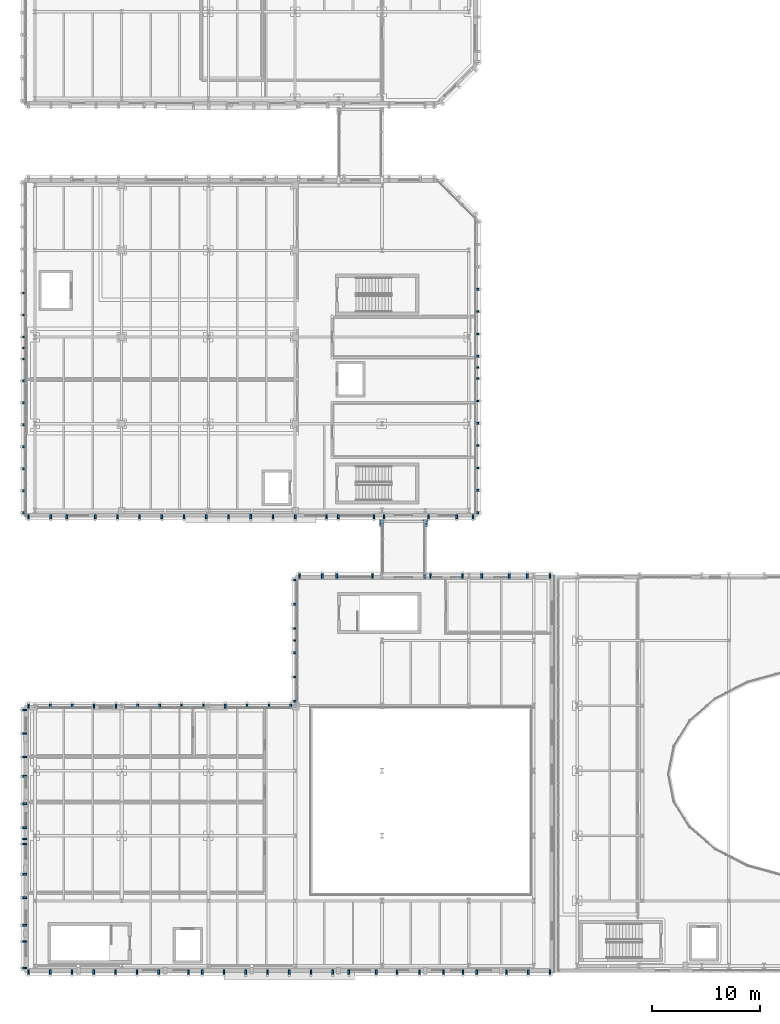
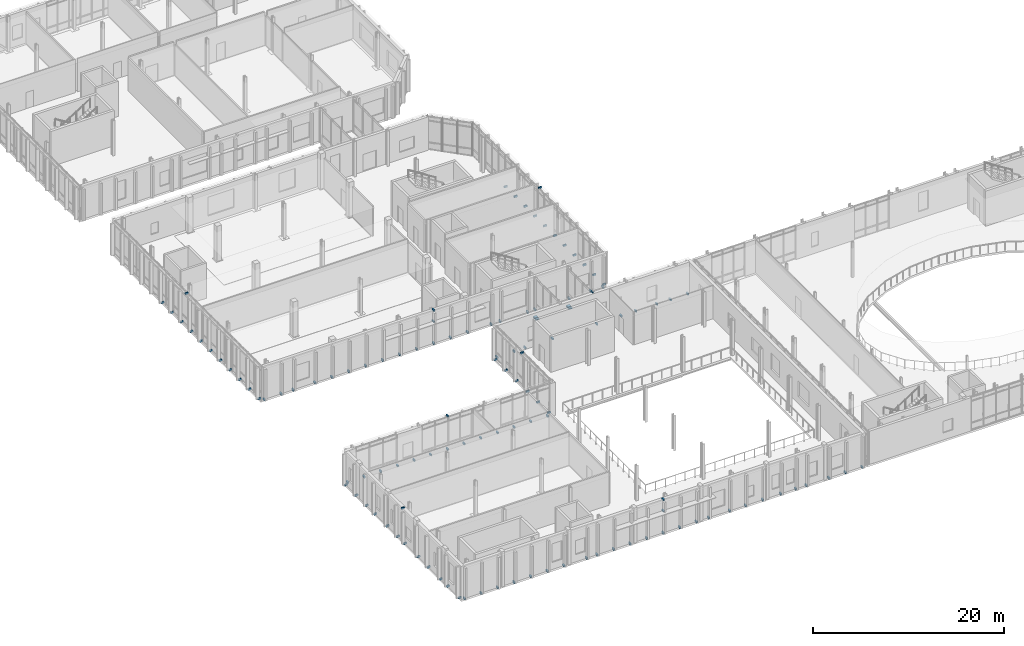
# One storey, part 78 of 100: 122 discrete accessories.
"""IFC4 building model written with IfcOpenShell, lengths in metres."""

from ifc_helpers import new_model, si_unit, direction, frame, origin, origin_2d, place, context, subcontext, project, spatial, rectangle, extrude, material, type_object, element, save


model = new_model("IFC4")

# Units and contexts
model_context = context("Model", 3, precision=1e-05, world=origin(), true_north=direction((0.0, 1.0)))
body_context = subcontext(model_context, "Body", "Model", "MODEL_VIEW")
ifc_project = project(units=[si_unit("LENGTHUNIT", "METRE"), si_unit("AREAUNIT", "SQUARE_METRE"), si_unit("VOLUMEUNIT", "CUBIC_METRE"), si_unit("PLANEANGLEUNIT", "RADIAN"), si_unit("MASSUNIT", "GRAM", prefix="KILO")], contexts=[model_context])

# Site, building, storey
site_placement = place(None, origin())
site = spatial("IfcSite", under=ifc_project, at=site_placement, CompositionType="ELEMENT")
building_placement = place(site_placement, origin())
building = spatial("IfcBuilding", under=site, at=building_placement, Name="Cymarion Research Institute", CompositionType="ELEMENT")
storey_placement = place(building_placement, frame((0.0, 0.0, 9.300048828125)))
storey = spatial("IfcBuildingStorey", under=building, at=storey_placement, Name="L02", CompositionType="ELEMENT", Elevation=9.300048828125)

# Discrete accessories
ifc_material = material(Name="Steel S355", Category="steel")
discrete_accessory_type_1 = type_object("IfcDiscreteAccessoryType", Name="PTFE ELASTOMERIC SLIDING BEARING SB01", PredefinedType="SHOE", material=ifc_material)
for number, where, z_axis, x_axis, name in (
    (1, (38.60009765625, 46.43994140625, -0.590087890625), (0.0, 0.0, 1.0), (1.0, 0.0, 0.0), "L02 SP1 unguided PTFE sliding bearing 1"),
    (2, (42.60009765625, 46.43994140625, -0.590087890625), (0.0, 0.0, 1.0), (1.0, 0.0, 0.0), "L02 SP1 unguided PTFE sliding bearing 2"),
):
    element("IfcDiscreteAccessory", number, at=place(storey_placement, frame(where, z_axis=z_axis, x_axis=x_axis)), inside=storey, type_object=discrete_accessory_type_1, Name=name, PredefinedType="SHOE", context=body_context, shape_type="SweptSolid", body=[
        extrude(rectangle(XDim=0.35009765625, YDim=0.35009765625, at=origin_2d()), origin(), (0.0, 0.0, 1.0), 0.080078125),
    ])
discrete_accessory_type_2 = type_object("IfcDiscreteAccessoryType", Name="STAINLESS STEEL FACADE FIN BRACKET FBK1", PredefinedType="BRACKET", material=ifc_material)
discrete_accessory_1_placement = place(storey_placement, frame((30.050048828125, 4.93994140625, 4.169921875), z_axis=(0.0, 0.0, 1.0), x_axis=(0.0, -1.0, 0.0)))
element("IfcDiscreteAccessory", 3, at=discrete_accessory_1_placement, inside=storey, type_object=discrete_accessory_type_2, Name="L02 V3 spandrel brow anchor bracket #442", PredefinedType="BRACKET", context=body_context, shape_type="SweptSolid", body=[
    extrude(rectangle(XDim=0.3798828125, YDim=0.159912109375, at=origin_2d()), origin(), (0.0, 0.0, 1.0), 0.199951171875),
])
for number, where, z_axis, x_axis, name in (
    (4, (6.0, 4.93994140625, -0.08984375), (0.0, 0.0, 1.0), (0.0, -1.0, 0.0), "L02 V3 vertical rib anchor bracket #443"),
    (5, (8.004150390625, 4.93994140625, -0.08984375), (0.0, 0.0, 1.0), (0.0, -1.0, 0.0), "L02 V3 vertical rib anchor bracket #444"),
    (6, (10.00830078125, 4.93994140625, -0.08984375), (0.0, 0.0, 1.0), (0.0, -1.0, 0.0), "L02 V3 vertical rib anchor bracket #445"),
    (7, (12.012451171875, 4.93994140625, -0.08984375), (0.0, 0.0, 1.0), (0.0, -1.0, 0.0), "L02 V3 vertical rib anchor bracket #446"),
    (8, (14.0166015625, 4.93994140625, -0.08984375), (0.0, 0.0, 1.0), (0.0, -1.0, 0.0), "L02 V3 vertical rib anchor bracket #447"),
    (9, (16.020751953125, 4.93994140625, -0.08984375), (0.0, 0.0, 1.0), (0.0, -1.0, 0.0), "L02 V3 vertical rib anchor bracket #448"),
    (10, (18.02490234375, 4.93994140625, -0.08984375), (0.0, 0.0, 1.0), (0.0, -1.0, 0.0), "L02 V3 vertical rib anchor bracket #449"),
    (11, (20.77001953125, 4.93994140625, -0.08984375), (0.0, 0.0, 1.0), (0.0, -1.0, 0.0), "L02 V3 vertical rib anchor bracket #450"),
    (12, (22.033203125, 4.93994140625, -0.08984375), (0.0, 0.0, 1.0), (0.0, -1.0, 0.0), "L02 V3 vertical rib anchor bracket #451"),
    (13, (24.03759765625, 4.93994140625, -0.08984375), (0.0, 0.0, 1.0), (0.0, -1.0, 0.0), "L02 V3 vertical rib anchor bracket #452"),
    (14, (26.041748046875, 4.93994140625, -0.08984375), (0.0, 0.0, 1.0), (0.0, -1.0, 0.0), "L02 V3 vertical rib anchor bracket #453"),
    (15, (28.0458984375, 4.93994140625, -0.08984375), (0.0, 0.0, 1.0), (0.0, -1.0, 0.0), "L02 V3 vertical rib anchor bracket #454"),
    (16, (30.050048828125, 4.93994140625, -0.08984375), (0.0, 0.0, 1.0), (0.0, -1.0, 0.0), "L02 V3 vertical rib anchor bracket #455"),
    (17, (32.05419921875, 4.93994140625, -0.08984375), (0.0, 0.0, 1.0), (0.0, -1.0, 0.0), "L02 V3 vertical rib anchor bracket #456"),
    (18, (34.058349609375, 4.93994140625, -0.08984375), (0.0, 0.0, 1.0), (0.0, -1.0, 0.0), "L02 V3 vertical rib anchor bracket #457"),
    (19, (35.550048828125, 4.93994140625, -0.08984375), (0.0, 0.0, 1.0), (0.0, -1.0, 0.0), "L02 V3 vertical rib anchor bracket #458"),
    (20, (38.066650390625, 4.93994140625, -0.08984375), (0.0, 0.0, 1.0), (0.0, -1.0, 0.0), "L02 V3 vertical rib anchor bracket #459"),
    (21, (40.0, 4.93994140625, -0.08984375), (0.0, 0.0, 1.0), (0.0, -1.0, 0.0), "L02 V3 vertical rib anchor bracket #460"),
    (22, (42.074951171875, 4.93994140625, -0.08984375), (0.0, 0.0, 1.0), (0.0, -1.0, 0.0), "L02 V3 vertical rib anchor bracket #461"),
    (23, (44.27001953125, 4.93994140625, -0.08984375), (0.0, 0.0, 1.0), (0.0, -1.0, 0.0), "L02 V3 vertical rib anchor bracket #462"),
    (24, (46.083251953125, 4.93994140625, -0.08984375), (0.0, 0.0, 1.0), (0.0, -1.0, 0.0), "L02 V3 vertical rib anchor bracket #463"),
    (25, (47.35009765625, 4.93994140625, -0.08984375), (0.0, 0.0, 1.0), (0.0, -1.0, 0.0), "L02 V3 vertical rib anchor bracket #464"),
    (26, (50.091796875, 4.93994140625, -0.08984375), (0.0, 0.0, 1.0), (0.0, -1.0, 0.0), "L02 V3 vertical rib anchor bracket #465"),
    (27, (52.095703125, 4.93994140625, -0.08984375), (0.0, 0.0, 1.0), (0.0, -1.0, 0.0), "L02 V3 vertical rib anchor bracket #466"),
    (28, (54.10009765625, 4.93994140625, -0.08984375), (0.0, 0.0, 1.0), (0.0, -1.0, 0.0), "L02 V3 vertical rib anchor bracket #467"),
):
    element("IfcDiscreteAccessory", number, at=place(storey_placement, frame(where, z_axis=z_axis, x_axis=x_axis)), inside=storey, type_object=discrete_accessory_type_2, Name=name, PredefinedType="BRACKET", context=body_context, shape_type="SweptSolid", body=[
        extrude(rectangle(XDim=0.3798828125, YDim=0.159912109375, at=origin_2d()), origin(), (0.0, 0.0, 1.0), 0.219970703125),
    ])
discrete_accessory_2_placement = place(storey_placement, frame((30.050048828125, 4.949951171875, 2.72998046875), z_axis=(0.0, 0.0, 1.0), x_axis=(0.0, -1.0, 0.0)))
element("IfcDiscreteAccessory", 29, at=discrete_accessory_2_placement, inside=storey, type_object=discrete_accessory_type_2, Name="L02 V3 sunshade anchor bracket #4", PredefinedType="BRACKET", context=body_context, shape_type="SweptSolid", body=[
    extrude(rectangle(XDim=0.3798828125, YDim=0.159912109375, at=origin_2d()), origin(), (0.0, 0.0, 1.0), 0.179931640625),
])
discrete_accessory_3_placement = place(storey_placement, frame((42.550048828125, 41.4599609375, 4.169921875), z_axis=(0.0, 0.0, 1.0), x_axis=(0.0, 1.0, 0.0)))
element("IfcDiscreteAccessory", 30, at=discrete_accessory_3_placement, inside=storey, type_object=discrete_accessory_type_2, Name="L02 V3 spandrel brow anchor bracket #468", PredefinedType="BRACKET", context=body_context, shape_type="SweptSolid", body=[
    extrude(rectangle(XDim=0.3798828125, YDim=0.159912109375, at=origin_2d()), origin(), (0.0, 0.0, 1.0), 0.199951171875),
])
for number, where, z_axis, x_axis, name in (
    (31, (54.10009765625, 41.4599609375, -0.08984375), (0.0, 0.0, 1.0), (0.0, 1.0, 0.0), "L02 V3 vertical rib anchor bracket #469"),
    (32, (52.0, 41.4599609375, -0.08984375), (0.0, 0.0, 1.0), (0.0, 1.0, 0.0), "L02 V3 vertical rib anchor bracket #470"),
    (33, (50.35009765625, 41.4599609375, -0.08984375), (0.0, 0.0, 1.0), (0.0, 1.0, 0.0), "L02 V3 vertical rib anchor bracket #471"),
    (34, (47.800048828125, 41.4599609375, -0.08984375), (0.0, 0.0, 1.0), (0.0, 1.0, 0.0), "L02 V3 vertical rib anchor bracket #472"),
    (35, (46.030029296875, 41.4599609375, -0.08984375), (0.0, 0.0, 1.0), (0.0, 1.0, 0.0), "L02 V3 vertical rib anchor bracket #473"),
    (36, (43.070068359375, 41.4599609375, -0.08984375), (0.0, 0.0, 1.0), (0.0, 1.0, 0.0), "L02 V3 vertical rib anchor bracket #474"),
    (37, (37.72998046875, 41.4599609375, -0.08984375), (0.0, 0.0, 1.0), (0.0, 1.0, 0.0), "L02 V3 vertical rib anchor bracket #475"),
    (38, (34.429931640625, 41.4599609375, -0.08984375), (0.0, 0.0, 1.0), (0.0, 1.0, 0.0), "L02 V3 vertical rib anchor bracket #476"),
    (39, (33.10009765625, 41.4599609375, -0.08984375), (0.0, 0.0, 1.0), (0.0, 1.0, 0.0), "L02 V3 vertical rib anchor bracket #477"),
    (40, (31.0, 41.4599609375, -0.08984375), (0.0, 0.0, 1.0), (0.0, 1.0, 0.0), "L02 V3 vertical rib anchor bracket #478"),
):
    element("IfcDiscreteAccessory", number, at=place(storey_placement, frame(where, z_axis=z_axis, x_axis=x_axis)), inside=storey, type_object=discrete_accessory_type_2, Name=name, PredefinedType="BRACKET", context=body_context, shape_type="SweptSolid", body=[
        extrude(rectangle(XDim=0.3798828125, YDim=0.159912109375, at=origin_2d()), origin(), (0.0, 0.0, 1.0), 0.219970703125),
    ])
discrete_accessory_4_placement = place(storey_placement, frame((30.639892578125, 35.5, 4.169921875), z_axis=(0.0, 0.0, 1.0), x_axis=(-1.0, 0.0, 0.0)))
element("IfcDiscreteAccessory", 41, at=discrete_accessory_4_placement, inside=storey, type_object=discrete_accessory_type_2, Name="L02 V3 spandrel brow anchor bracket #479", PredefinedType="BRACKET", context=body_context, shape_type="SweptSolid", body=[
    extrude(rectangle(XDim=0.3798828125, YDim=0.159912109375, at=origin_2d()), origin(), (0.0, 0.0, 1.0), 0.199951171875),
])
for number, where, z_axis, x_axis, name in (
    (42, (30.639892578125, 41.10009765625, -0.08984375), (0.0, 0.0, 1.0), (-1.0, 0.0, 0.0), "L02 V3 vertical rib anchor bracket #480"),
    (43, (30.639892578125, 38.860107421875, -0.08984375), (0.0, 0.0, 1.0), (-1.0, 0.0, 0.0), "L02 V3 vertical rib anchor bracket #481"),
    (44, (30.639892578125, 36.6201171875, -0.08984375), (0.0, 0.0, 1.0), (-1.0, 0.0, 0.0), "L02 V3 vertical rib anchor bracket #482"),
    (45, (30.639892578125, 34.3798828125, -0.08984375), (0.0, 0.0, 1.0), (-1.0, 0.0, 0.0), "L02 V3 vertical rib anchor bracket #483"),
    (46, (30.639892578125, 32.139892578125, -0.08984375), (0.0, 0.0, 1.0), (-1.0, 0.0, 0.0), "L02 V3 vertical rib anchor bracket #484"),
    (47, (30.639892578125, 29.89990234375, -0.08984375), (0.0, 0.0, 1.0), (-1.0, 0.0, 0.0), "L02 V3 vertical rib anchor bracket #485"),
):
    element("IfcDiscreteAccessory", number, at=place(storey_placement, frame(where, z_axis=z_axis, x_axis=x_axis)), inside=storey, type_object=discrete_accessory_type_2, Name=name, PredefinedType="BRACKET", context=body_context, shape_type="SweptSolid", body=[
        extrude(rectangle(XDim=0.3798828125, YDim=0.159912109375, at=origin_2d()), origin(), (0.0, 0.0, 1.0), 0.219970703125),
    ])
discrete_accessory_5_placement = place(storey_placement, frame((18.10009765625, 29.4599609375, 4.169921875), z_axis=(0.0, 0.0, 1.0), x_axis=(0.0, 1.0, 0.0)))
element("IfcDiscreteAccessory", 48, at=discrete_accessory_5_placement, inside=storey, type_object=discrete_accessory_type_2, Name="L02 V3 spandrel brow anchor bracket #486", PredefinedType="BRACKET", context=body_context, shape_type="SweptSolid", body=[
    extrude(rectangle(XDim=0.3798828125, YDim=0.159912109375, at=origin_2d()), origin(), (0.0, 0.0, 1.0), 0.199951171875),
])
for number, where, z_axis, x_axis, name in (
    (49, (30.199951171875, 29.4599609375, -0.08984375), (0.0, 0.0, 1.0), (0.0, 1.0, 0.0), "L02 V3 vertical rib anchor bracket #487"),
    (50, (28.183349609375, 29.4599609375, -0.08984375), (0.0, 0.0, 1.0), (0.0, 1.0, 0.0), "L02 V3 vertical rib anchor bracket #488"),
    (51, (26.166748046875, 29.4599609375, -0.08984375), (0.0, 0.0, 1.0), (0.0, 1.0, 0.0), "L02 V3 vertical rib anchor bracket #489"),
    (52, (24.14990234375, 29.4599609375, -0.08984375), (0.0, 0.0, 1.0), (0.0, 1.0, 0.0), "L02 V3 vertical rib anchor bracket #490"),
    (53, (22.13330078125, 29.4599609375, -0.08984375), (0.0, 0.0, 1.0), (0.0, 1.0, 0.0), "L02 V3 vertical rib anchor bracket #491"),
    (54, (20.11669921875, 29.4599609375, -0.08984375), (0.0, 0.0, 1.0), (0.0, 1.0, 0.0), "L02 V3 vertical rib anchor bracket #492"),
    (55, (18.10009765625, 29.4599609375, -0.08984375), (0.0, 0.0, 1.0), (0.0, 1.0, 0.0), "L02 V3 vertical rib anchor bracket #493"),
    (56, (16.083251953125, 29.4599609375, -0.08984375), (0.0, 0.0, 1.0), (0.0, 1.0, 0.0), "L02 V3 vertical rib anchor bracket #494"),
    (57, (14.066650390625, 29.4599609375, -0.08984375), (0.0, 0.0, 1.0), (0.0, 1.0, 0.0), "L02 V3 vertical rib anchor bracket #495"),
    (58, (12.050048828125, 29.4599609375, -0.08984375), (0.0, 0.0, 1.0), (0.0, 1.0, 0.0), "L02 V3 vertical rib anchor bracket #496"),
    (59, (10.033203125, 29.4599609375, -0.08984375), (0.0, 0.0, 1.0), (0.0, 1.0, 0.0), "L02 V3 vertical rib anchor bracket #497"),
    (60, (8.0166015625, 29.4599609375, -0.08984375), (0.0, 0.0, 1.0), (0.0, 1.0, 0.0), "L02 V3 vertical rib anchor bracket #498"),
    (61, (6.0, 29.4599609375, -0.08984375), (0.0, 0.0, 1.0), (0.0, 1.0, 0.0), "L02 V3 vertical rib anchor bracket #499"),
):
    element("IfcDiscreteAccessory", number, at=place(storey_placement, frame(where, z_axis=z_axis, x_axis=x_axis)), inside=storey, type_object=discrete_accessory_type_2, Name=name, PredefinedType="BRACKET", context=body_context, shape_type="SweptSolid", body=[
        extrude(rectangle(XDim=0.3798828125, YDim=0.159912109375, at=origin_2d()), origin(), (0.0, 0.0, 1.0), 0.219970703125),
    ])
discrete_accessory_6_placement = place(storey_placement, frame((5.639892578125, 17.199951171875, 4.169921875), z_axis=(0.0, 0.0, 1.0), x_axis=(-1.0, 0.0, 0.0)))
element("IfcDiscreteAccessory", 62, at=discrete_accessory_6_placement, inside=storey, type_object=discrete_accessory_type_2, Name="L02 V3 spandrel brow anchor bracket #500", PredefinedType="BRACKET", context=body_context, shape_type="SweptSolid", body=[
    extrude(rectangle(XDim=0.3798828125, YDim=0.159912109375, at=origin_2d()), origin(), (0.0, 0.0, 1.0), 0.199951171875),
])
for number, where, z_axis, x_axis, name in (
    (63, (5.639892578125, 29.10009765625, -0.08984375), (0.0, 0.0, 1.0), (-1.0, 0.0, 0.0), "L02 V3 vertical rib anchor bracket #501"),
    (64, (5.639892578125, 26.936279296875, -0.08984375), (0.0, 0.0, 1.0), (-1.0, 0.0, 0.0), "L02 V3 vertical rib anchor bracket #502"),
    (65, (5.639892578125, 24.772705078125, -0.08984375), (0.0, 0.0, 1.0), (-1.0, 0.0, 0.0), "L02 V3 vertical rib anchor bracket #503"),
    (66, (5.639892578125, 22.97998046875, -0.08984375), (0.0, 0.0, 1.0), (-1.0, 0.0, 0.0), "L02 V3 vertical rib anchor bracket #504"),
    (67, (5.639892578125, 20.445556640625, -0.08984375), (0.0, 0.0, 1.0), (-1.0, 0.0, 0.0), "L02 V3 vertical rib anchor bracket #505"),
    (68, (5.639892578125, 18.25, -0.08984375), (0.0, 0.0, 1.0), (-1.0, 0.0, 0.0), "L02 V3 vertical rib anchor bracket #506"),
    (69, (5.639892578125, 16.75, -0.08984375), (0.0, 0.0, 1.0), (-1.0, 0.0, 0.0), "L02 V3 vertical rib anchor bracket #507"),
    (70, (5.639892578125, 13.95458984375, -0.08984375), (0.0, 0.0, 1.0), (-1.0, 0.0, 0.0), "L02 V3 vertical rib anchor bracket #508"),
    (71, (5.639892578125, 11.791015625, -0.08984375), (0.0, 0.0, 1.0), (-1.0, 0.0, 0.0), "L02 V3 vertical rib anchor bracket #509"),
    (72, (5.639892578125, 9.25, -0.08984375), (0.0, 0.0, 1.0), (-1.0, 0.0, 0.0), "L02 V3 vertical rib anchor bracket #510"),
    (73, (5.639892578125, 7.760009765625, -0.08984375), (0.0, 0.0, 1.0), (-1.0, 0.0, 0.0), "L02 V3 vertical rib anchor bracket #511"),
    (74, (5.639892578125, 5.300048828125, -0.08984375), (0.0, 0.0, 1.0), (-1.0, 0.0, 0.0), "L02 V3 vertical rib anchor bracket #512"),
):
    element("IfcDiscreteAccessory", number, at=place(storey_placement, frame(where, z_axis=z_axis, x_axis=x_axis)), inside=storey, type_object=discrete_accessory_type_2, Name=name, PredefinedType="BRACKET", context=body_context, shape_type="SweptSolid", body=[
        extrude(rectangle(XDim=0.3798828125, YDim=0.159912109375, at=origin_2d()), origin(), (0.0, 0.0, 1.0), 0.219970703125),
    ])
discrete_accessory_7_placement = place(storey_placement, frame((26.5, 46.93994140625, 4.169921875), z_axis=(0.0, 0.0, 1.0), x_axis=(0.0, -1.0, 0.0)))
element("IfcDiscreteAccessory", 75, at=discrete_accessory_7_placement, inside=storey, type_object=discrete_accessory_type_2, Name="L02 V4 spandrel brow anchor bracket #513", PredefinedType="BRACKET", context=body_context, shape_type="SweptSolid", body=[
    extrude(rectangle(XDim=0.3798828125, YDim=0.159912109375, at=origin_2d()), origin(), (0.0, 0.0, 1.0), 0.199951171875),
])
for number, where, z_axis, x_axis, name in (
    (76, (6.0, 46.93994140625, -0.08984375), (0.0, 0.0, 1.0), (0.0, -1.0, 0.0), "L02 V4 vertical rib anchor bracket #514"),
    (77, (8.050048828125, 46.93994140625, -0.08984375), (0.0, 0.0, 1.0), (0.0, -1.0, 0.0), "L02 V4 vertical rib anchor bracket #515"),
    (78, (9.5400390625, 46.93994140625, -0.08984375), (0.0, 0.0, 1.0), (0.0, -1.0, 0.0), "L02 V4 vertical rib anchor bracket #516"),
    (79, (12.14990234375, 46.93994140625, -0.08984375), (0.0, 0.0, 1.0), (0.0, -1.0, 0.0), "L02 V4 vertical rib anchor bracket #517"),
    (80, (14.199951171875, 46.93994140625, -0.08984375), (0.0, 0.0, 1.0), (0.0, -1.0, 0.0), "L02 V4 vertical rib anchor bracket #518"),
    (81, (16.25, 46.93994140625, -0.08984375), (0.0, 0.0, 1.0), (0.0, -1.0, 0.0), "L02 V4 vertical rib anchor bracket #519"),
    (82, (18.300048828125, 46.93994140625, -0.08984375), (0.0, 0.0, 1.0), (0.0, -1.0, 0.0), "L02 V4 vertical rib anchor bracket #520"),
    (83, (20.35009765625, 46.93994140625, -0.08984375), (0.0, 0.0, 1.0), (0.0, -1.0, 0.0), "L02 V4 vertical rib anchor bracket #521"),
    (84, (22.39990234375, 46.93994140625, -0.08984375), (0.0, 0.0, 1.0), (0.0, -1.0, 0.0), "L02 V4 vertical rib anchor bracket #522"),
    (85, (24.449951171875, 46.93994140625, -0.08984375), (0.0, 0.0, 1.0), (0.0, -1.0, 0.0), "L02 V4 vertical rib anchor bracket #523"),
    (86, (26.5, 46.93994140625, -0.08984375), (0.0, 0.0, 1.0), (0.0, -1.0, 0.0), "L02 V4 vertical rib anchor bracket #524"),
    (87, (28.550048828125, 46.93994140625, -0.08984375), (0.0, 0.0, 1.0), (0.0, -1.0, 0.0), "L02 V4 vertical rib anchor bracket #525"),
    (88, (30.60009765625, 46.93994140625, -0.08984375), (0.0, 0.0, 1.0), (0.0, -1.0, 0.0), "L02 V4 vertical rib anchor bracket #526"),
    (89, (33.47998046875, 46.93994140625, -0.08984375), (0.0, 0.0, 1.0), (0.0, -1.0, 0.0), "L02 V4 vertical rib anchor bracket #527"),
    (90, (34.580078125, 46.93994140625, -0.08984375), (0.0, 0.0, 1.0), (0.0, -1.0, 0.0), "L02 V4 vertical rib anchor bracket #528"),
    (91, (37.8798828125, 46.93994140625, -0.08984375), (0.0, 0.0, 1.0), (0.0, -1.0, 0.0), "L02 V4 vertical rib anchor bracket #529"),
    (92, (38.800048828125, 46.93994140625, -0.08984375), (0.0, 0.0, 1.0), (0.0, -1.0, 0.0), "L02 V4 vertical rib anchor bracket #530"),
    (93, (42.89990234375, 46.93994140625, -0.08984375), (0.0, 0.0, 1.0), (0.0, -1.0, 0.0), "L02 V4 vertical rib anchor bracket #531"),
    (94, (45.5, 46.93994140625, -0.08984375), (0.0, 0.0, 1.0), (0.0, -1.0, 0.0), "L02 V4 vertical rib anchor bracket #532"),
    (95, (47.0, 46.93994140625, -0.08984375), (0.0, 0.0, 1.0), (0.0, -1.0, 0.0), "L02 V4 vertical rib anchor bracket #533"),
):
    element("IfcDiscreteAccessory", number, at=place(storey_placement, frame(where, z_axis=z_axis, x_axis=x_axis)), inside=storey, type_object=discrete_accessory_type_2, Name=name, PredefinedType="BRACKET", context=body_context, shape_type="SweptSolid", body=[
        extrude(rectangle(XDim=0.3798828125, YDim=0.159912109375, at=origin_2d()), origin(), (0.0, 0.0, 1.0), 0.219970703125),
    ])
discrete_accessory_8_placement = place(storey_placement, frame((26.5, 46.949951171875, 2.72998046875), z_axis=(0.0, 0.0, 1.0), x_axis=(0.0, -1.0, 0.0)))
element("IfcDiscreteAccessory", 96, at=discrete_accessory_8_placement, inside=storey, type_object=discrete_accessory_type_2, Name="L02 V4 sunshade anchor bracket #5", PredefinedType="BRACKET", context=body_context, shape_type="SweptSolid", body=[
    extrude(rectangle(XDim=0.3798828125, YDim=0.159912109375, at=origin_2d()), origin(), (0.0, 0.0, 1.0), 0.179931640625),
])
discrete_accessory_9_placement = place(storey_placement, frame((47.360107421875, 60.699951171875, 4.169921875), z_axis=(0.0, 0.0, 1.0), x_axis=(1.0, 0.0, 0.0)))
element("IfcDiscreteAccessory", 97, at=discrete_accessory_9_placement, inside=storey, type_object=discrete_accessory_type_2, Name="L02 V4 spandrel brow anchor bracket #534", PredefinedType="BRACKET", context=body_context, shape_type="SweptSolid", body=[
    extrude(rectangle(XDim=0.3798828125, YDim=0.159912109375, at=origin_2d()), origin(), (0.0, 0.0, 1.0), 0.199951171875),
])
for number, where, z_axis, x_axis, name in (
    (98, (47.360107421875, 47.300048828125, -0.08984375), (0.0, 0.0, 1.0), (1.0, 0.0, 0.0), "L02 V4 vertical rib anchor bracket #535"),
    (99, (47.360107421875, 49.361572265625, -0.08984375), (0.0, 0.0, 1.0), (1.0, 0.0, 0.0), "L02 V4 vertical rib anchor bracket #536"),
    (100, (47.360107421875, 51.423095703125, -0.08984375), (0.0, 0.0, 1.0), (1.0, 0.0, 0.0), "L02 V4 vertical rib anchor bracket #537"),
    (101, (47.360107421875, 53.484619140625, -0.08984375), (0.0, 0.0, 1.0), (1.0, 0.0, 0.0), "L02 V4 vertical rib anchor bracket #538"),
    (102, (47.360107421875, 55.546142578125, -0.08984375), (0.0, 0.0, 1.0), (1.0, 0.0, 0.0), "L02 V4 vertical rib anchor bracket #539"),
    (103, (47.360107421875, 57.607666015625, -0.08984375), (0.0, 0.0, 1.0), (1.0, 0.0, 0.0), "L02 V4 vertical rib anchor bracket #540"),
    (104, (47.360107421875, 59.669189453125, -0.08984375), (0.0, 0.0, 1.0), (1.0, 0.0, 0.0), "L02 V4 vertical rib anchor bracket #541"),
    (105, (47.360107421875, 61.730712890625, -0.08984375), (0.0, 0.0, 1.0), (1.0, 0.0, 0.0), "L02 V4 vertical rib anchor bracket #542"),
    (106, (47.360107421875, 63.792236328125, -0.08984375), (0.0, 0.0, 1.0), (1.0, 0.0, 0.0), "L02 V4 vertical rib anchor bracket #543"),
    (107, (47.360107421875, 65.853759765625, -0.08984375), (0.0, 0.0, 1.0), (1.0, 0.0, 0.0), "L02 V4 vertical rib anchor bracket #544"),
    (108, (47.360107421875, 67.915283203125, -0.08984375), (0.0, 0.0, 1.0), (1.0, 0.0, 0.0), "L02 V4 vertical rib anchor bracket #545"),
):
    element("IfcDiscreteAccessory", number, at=place(storey_placement, frame(where, z_axis=z_axis, x_axis=x_axis)), inside=storey, type_object=discrete_accessory_type_2, Name=name, PredefinedType="BRACKET", context=body_context, shape_type="SweptSolid", body=[
        extrude(rectangle(XDim=0.3798828125, YDim=0.159912109375, at=origin_2d()), origin(), (0.0, 0.0, 1.0), 0.219970703125),
    ])
discrete_accessory_10_placement = place(storey_placement, frame((5.639892578125, 62.5, 4.169921875), z_axis=(0.0, 0.0, 1.0), x_axis=(-1.0, 0.0, 0.0)))
element("IfcDiscreteAccessory", 109, at=discrete_accessory_10_placement, inside=storey, type_object=discrete_accessory_type_2, Name="L02 V4 spandrel brow anchor bracket #571", PredefinedType="BRACKET", context=body_context, shape_type="SweptSolid", body=[
    extrude(rectangle(XDim=0.3798828125, YDim=0.159912109375, at=origin_2d()), origin(), (0.0, 0.0, 1.0), 0.199951171875),
])
for number, where, z_axis, x_axis, name in (
    (110, (5.639892578125, 67.566650390625, -0.08984375), (0.0, 0.0, 1.0), (-1.0, 0.0, 0.0), "L02 V4 vertical rib anchor bracket #577"),
    (111, (5.639892578125, 65.5400390625, -0.08984375), (0.0, 0.0, 1.0), (-1.0, 0.0, 0.0), "L02 V4 vertical rib anchor bracket #578"),
    (112, (5.639892578125, 63.51318359375, -0.08984375), (0.0, 0.0, 1.0), (-1.0, 0.0, 0.0), "L02 V4 vertical rib anchor bracket #579"),
    (113, (5.639892578125, 61.48681640625, -0.08984375), (0.0, 0.0, 1.0), (-1.0, 0.0, 0.0), "L02 V4 vertical rib anchor bracket #580"),
    (114, (5.639892578125, 59.4599609375, -0.08984375), (0.0, 0.0, 1.0), (-1.0, 0.0, 0.0), "L02 V4 vertical rib anchor bracket #581"),
    (115, (5.639892578125, 57.433349609375, -0.08984375), (0.0, 0.0, 1.0), (-1.0, 0.0, 0.0), "L02 V4 vertical rib anchor bracket #582"),
    (116, (5.639892578125, 55.40673828125, -0.08984375), (0.0, 0.0, 1.0), (-1.0, 0.0, 0.0), "L02 V4 vertical rib anchor bracket #583"),
    (117, (5.639892578125, 53.3798828125, -0.08984375), (0.0, 0.0, 1.0), (-1.0, 0.0, 0.0), "L02 V4 vertical rib anchor bracket #584"),
    (118, (5.639892578125, 51.353271484375, -0.08984375), (0.0, 0.0, 1.0), (-1.0, 0.0, 0.0), "L02 V4 vertical rib anchor bracket #585"),
    (119, (5.639892578125, 49.32666015625, -0.08984375), (0.0, 0.0, 1.0), (-1.0, 0.0, 0.0), "L02 V4 vertical rib anchor bracket #586"),
    (120, (5.639892578125, 47.300048828125, -0.08984375), (0.0, 0.0, 1.0), (-1.0, 0.0, 0.0), "L02 V4 vertical rib anchor bracket #587"),
):
    element("IfcDiscreteAccessory", number, at=place(storey_placement, frame(where, z_axis=z_axis, x_axis=x_axis)), inside=storey, type_object=discrete_accessory_type_2, Name=name, PredefinedType="BRACKET", context=body_context, shape_type="SweptSolid", body=[
        extrude(rectangle(XDim=0.3798828125, YDim=0.159912109375, at=origin_2d()), origin(), (0.0, 0.0, 1.0), 0.219970703125),
    ])
discrete_accessory_type_3 = type_object("IfcDiscreteAccessoryType", Name="STEEL BRIDGE BEARING CORBEL SEAT SBS650 420X650", PredefinedType="BRACKET", material=ifc_material)
for number, where, z_axis, x_axis, name in (
    (121, (38.60009765625, 46.364990234375, -0.72998046875), (0.0, 0.0, 1.0), (1.0, 0.0, 0.0), "L02 SP1 650mm steel bridge bearing seat corbel 1"),
    (122, (42.60009765625, 46.364990234375, -0.72998046875), (0.0, 0.0, 1.0), (1.0, 0.0, 0.0), "L02 SP1 650mm steel bridge bearing seat corbel 2"),
):
    element("IfcDiscreteAccessory", number, at=place(storey_placement, frame(where, z_axis=z_axis, x_axis=x_axis)), inside=storey, type_object=discrete_accessory_type_3, Name=name, PredefinedType="BRACKET", context=body_context, shape_type="SweptSolid", body=[
        extrude(rectangle(XDim=0.419921875, YDim=0.64990234375, at=origin_2d()), origin(), (0.0, 0.0, 1.0), 0.139892578125),
    ])

save(model, "model.ifc")
